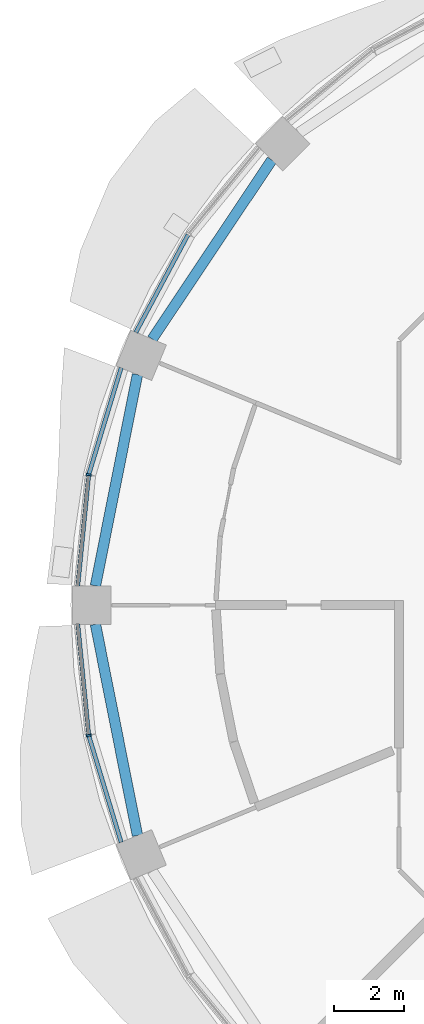
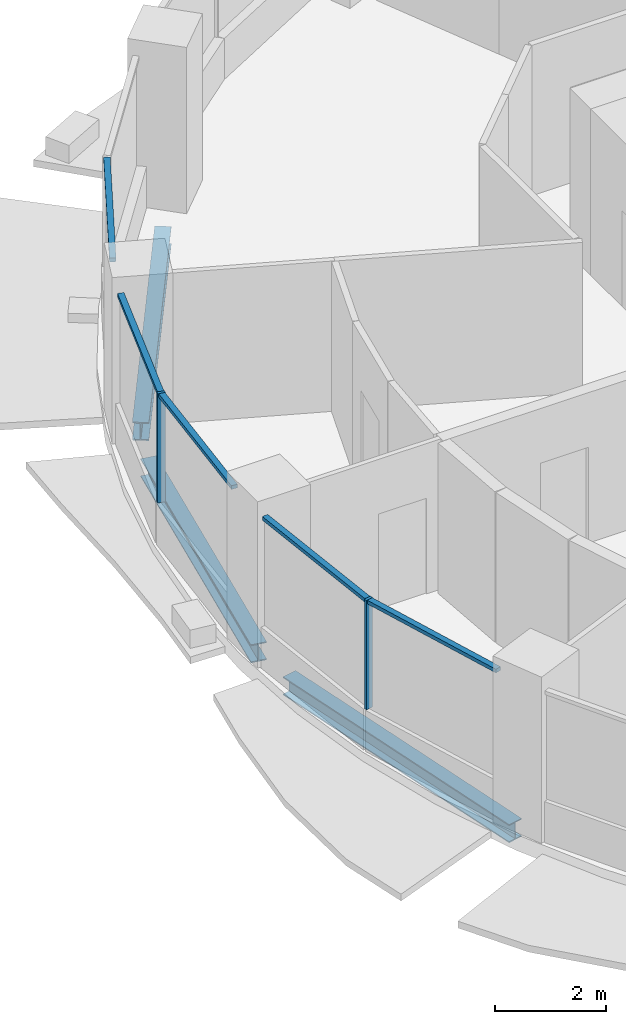
# One storey, part 3 of 14: 7 members, 3 beams, 3 elements without a shape of their own.
"""IFC4 building model written with IfcOpenShell, lengths in metres."""

from ifc_helpers import new_model, si_unit, direction, frame, origin, origin_2d, place, context, subcontext, project, spatial, rectangle, i_section, extrude, material, material_profile, profile_set, type_object, element, aggregate, save


model = new_model("IFC4")

# Units and contexts
model_context = context("Model", 3, precision=1e-05, world=origin(), true_north=direction((0.0, 1.0)))
body_context = subcontext(model_context, "Body", "Model", "MODEL_VIEW")
ifc_project = project(units=[si_unit("LENGTHUNIT", "METRE"), si_unit("AREAUNIT", "SQUARE_METRE"), si_unit("VOLUMEUNIT", "CUBIC_METRE"), si_unit("PLANEANGLEUNIT", "RADIAN"), si_unit("MASSUNIT", "GRAM", prefix="KILO")], contexts=[model_context])

# Site, building, storey
site_placement = place(None, origin())
site = spatial("IfcSite", under=ifc_project, at=site_placement, CompositionType="ELEMENT")
building_placement = place(site_placement, origin())
building = spatial("IfcBuilding", under=site, at=building_placement, Name="Polderwave Tower", CompositionType="ELEMENT")
storey_placement = place(building_placement, frame((0.0, 0.0, 101.949951171875)))
storey = spatial("IfcBuildingStorey", under=building, at=storey_placement, Name="L26", CompositionType="ELEMENT", Elevation=101.949951171875)

# Curtain wall, member
ifc_material_1 = material(Name="Aluminium 6063-T6 and glass", Category="aluminium")
curtain_wall_type = type_object("IfcCurtainWallType", Name="Growing floor ribbon glazing wall", PredefinedType="NOTDEFINED", material=ifc_material_1)
curtain_wall_1_placement = place(storey_placement, origin())
curtain_wall_1 = element("IfcCurtainWall", 1, at=curtain_wall_1_placement, inside=storey, type_object=curtain_wall_type, Name="CW2 L26 07", PredefinedType="NOTDEFINED")
ifc_material_2 = material(Name="Aluminium 6063-T6", Category="aluminium")
ifc_material_profile_1 = material_profile(ifc_material_2, rectangle(XDim=0.14990234375, YDim=0.06005859375, at=origin_2d()), Name="AL 60x150")
ifc_profile_set_1 = profile_set([ifc_material_profile_1], Name="Aluminium 6063-T6")
member_type_1 = type_object("IfcMemberType", Name="Growing floor ribbon glazing mullion 60x150", PredefinedType="MULLION", material=ifc_profile_set_1)
member_1_placement = place(storey_placement, frame((-18.7529296875, 3.72998046875, 0.900146484375), z_axis=(0.0, 0.0, 1.0), x_axis=(0.980780853692, -0.195112575278, 0.0)))
member_1 = element("IfcMember", 2, at=member_1_placement, type_object=member_type_1, Name="CW2 mullion 1", PredefinedType="MULLION", context=body_context, shape_type="SweptSolid", body=[
    extrude(rectangle(XDim=0.14990234375, YDim=0.06005859375, at=origin_2d()), origin(), (0.0, 0.0, 1.0), 2.39990234375),
])

curtain_wall_2_placement = place(storey_placement, origin())
curtain_wall_2 = element("IfcCurtainWall", 3, at=curtain_wall_2_placement, inside=storey, type_object=curtain_wall_type, Name="CW2 L26 08", PredefinedType="NOTDEFINED")
member_2_placement = place(storey_placement, frame((-18.7529296875, -3.72998046875, 0.900146484375), z_axis=(0.0, 0.0, 1.0), x_axis=(0.980780853692, 0.195112575278, 0.0)))
member_2 = element("IfcMember", 4, at=member_2_placement, type_object=member_type_1, Name="CW2 mullion 1", PredefinedType="MULLION", context=body_context, shape_type="SweptSolid", body=[
    extrude(rectangle(XDim=0.14990234375, YDim=0.06005859375, at=origin_2d()), origin(), (0.0, 0.0, 1.0), 2.39990234375),
])

curtain_wall_3_placement = place(storey_placement, origin())
curtain_wall_3 = element("IfcCurtainWall", 5, at=curtain_wall_3_placement, inside=storey, type_object=curtain_wall_type, Name="CW2 L26 06", PredefinedType="NOTDEFINED")
ifc_material_profile_2 = material_profile(ifc_material_2, rectangle(XDim=0.1201171875, YDim=0.080078125, at=origin_2d()), Name="AL 80x120")
ifc_profile_set_2 = profile_set([ifc_material_profile_2], Name="Aluminium 6063-T6")
member_type_2 = type_object("IfcMemberType", Name="Growing floor ribbon glazing transom 80x120", PredefinedType="USERDEFINED", material=ifc_profile_set_2)
member_3_placement = place(storey_placement, frame((-15.912109375, 10.596435546875, 3.260009765625), z_axis=(-0.471232490074, -0.882009036404, 0.0), x_axis=(0.882009036404, -0.471232490074, 0.0)))
member_3 = element("IfcMember", 6, at=member_3_placement, type_object=member_type_2, Name="CW2 transom 2", ObjectType="TRANSOM", PredefinedType="USERDEFINED", context=body_context, shape_type="SweptSolid", body=[
    extrude(rectangle(XDim=0.1201171875, YDim=0.080078125, at=origin_2d()), origin(), (0.0, 0.0, 1.0), 3.166015625),
])
aggregate(curtain_wall_3, [member_3])

# Member
member_4_placement = place(storey_placement, frame((-17.824951171875, 6.7880859375, 3.260009765625), z_axis=(-0.290431166093, -0.956895886584, 0.0), x_axis=(0.956895886584, -0.290431166093, 0.0)))
member_4 = element("IfcMember", 7, at=member_4_placement, type_object=member_type_2, Name="CW2 transom 1", ObjectType="TRANSOM", PredefinedType="USERDEFINED", context=body_context, shape_type="SweptSolid", body=[
    extrude(rectangle(XDim=0.1201171875, YDim=0.080078125, at=origin_2d()), origin(), (0.0, 0.0, 1.0), 3.165771484375),
])

member_5_placement = place(storey_placement, frame((-18.755859375, 3.7001953125, 3.260009765625), z_axis=(-0.097953388713, -0.995191003597, 0.0), x_axis=(0.995191003597, -0.097953388713, 0.0)))
member_5 = element("IfcMember", 8, at=member_5_placement, type_object=member_type_2, Name="CW2 transom 2", ObjectType="TRANSOM", PredefinedType="USERDEFINED", context=body_context, shape_type="SweptSolid", body=[
    extrude(rectangle(XDim=0.1201171875, YDim=0.080078125, at=origin_2d()), origin(), (0.0, 0.0, 1.0), 3.165283203125),
])

aggregate(curtain_wall_1, [member_1, member_4, member_5])

member_6_placement = place(storey_placement, frame((-19.06591796875, -0.550048828125, 3.260009765625), z_axis=(0.097953388713, -0.995191003597, 0.0), x_axis=(0.995191003597, 0.097953388713, 0.0)))
member_6 = element("IfcMember", 9, at=member_6_placement, type_object=member_type_2, Name="CW2 transom 1", ObjectType="TRANSOM", PredefinedType="USERDEFINED", context=body_context, shape_type="SweptSolid", body=[
    extrude(rectangle(XDim=0.1201171875, YDim=0.080078125, at=origin_2d()), origin(), (0.0, 0.0, 1.0), 3.165283203125),
])

member_7_placement = place(storey_placement, frame((-18.744384765625, -3.7587890625, 3.260009765625), z_axis=(0.290431166093, -0.956895886584, 0.0), x_axis=(0.956895886584, 0.290431166093, 0.0)))
member_7 = element("IfcMember", 10, at=member_7_placement, type_object=member_type_2, Name="CW2 transom 2", ObjectType="TRANSOM", PredefinedType="USERDEFINED", context=body_context, shape_type="SweptSolid", body=[
    extrude(rectangle(XDim=0.1201171875, YDim=0.080078125, at=origin_2d()), origin(), (0.0, 0.0, 1.0), 3.165771484375),
])

aggregate(curtain_wall_2, [member_2, member_6, member_7])

# Beams
ifc_material_3 = material(Name="Steel S355", Category="steel")
ifc_material_profile_3 = material_profile(ifc_material_3, i_section(OverallWidth=0.300048828125, OverallDepth=0.39990234375, WebThickness=0.013427734375, FlangeThickness=0.02392578125, at=origin_2d()), Name="HE 400 B")
ifc_profile_set_3 = profile_set([ifc_material_profile_3], Name="Steel S355")
beam_type = type_object("IfcBeamType", Name="RING BEAM HE 400 B", PredefinedType="BEAM", material=ifc_profile_set_3)
for number, where, z_axis, x_axis, name in (
    (11, (-13.51318359375, 12.7353515625, -0.550048828125), (-0.555586625808, -0.831458658758, 0.0), (0.831458658758, -0.555586625808, 0.0), "ST-RB-L26-06"),
    (12, (-17.358154296875, 6.5947265625, -0.550048828125), (-0.195095226048, -0.980784304918, 0.0), (0.980784304918, -0.195095226048, 0.0), "ST-RB-L26-07"),
    (13, (-18.560546875, -0.550048828125, -0.550048828125), (0.195095226048, -0.980784304918, 0.0), (0.980784304918, 0.195095226048, 0.0), "ST-RB-L26-08"),
):
    element("IfcBeam", number, at=place(storey_placement, frame(where, z_axis=z_axis, x_axis=x_axis)), inside=storey, type_object=beam_type, Name=name, PredefinedType="BEAM", context=body_context, shape_type="SweptSolid", body=[
        extrude(i_section(OverallWidth=0.300048828125, OverallDepth=0.39990234375, WebThickness=0.013427734375, FlangeThickness=0.02392578125, at=origin_2d()), origin(), (0.0, 0.0, 1.0), 6.1630859375),
    ])

save(model, "model.ifc")
